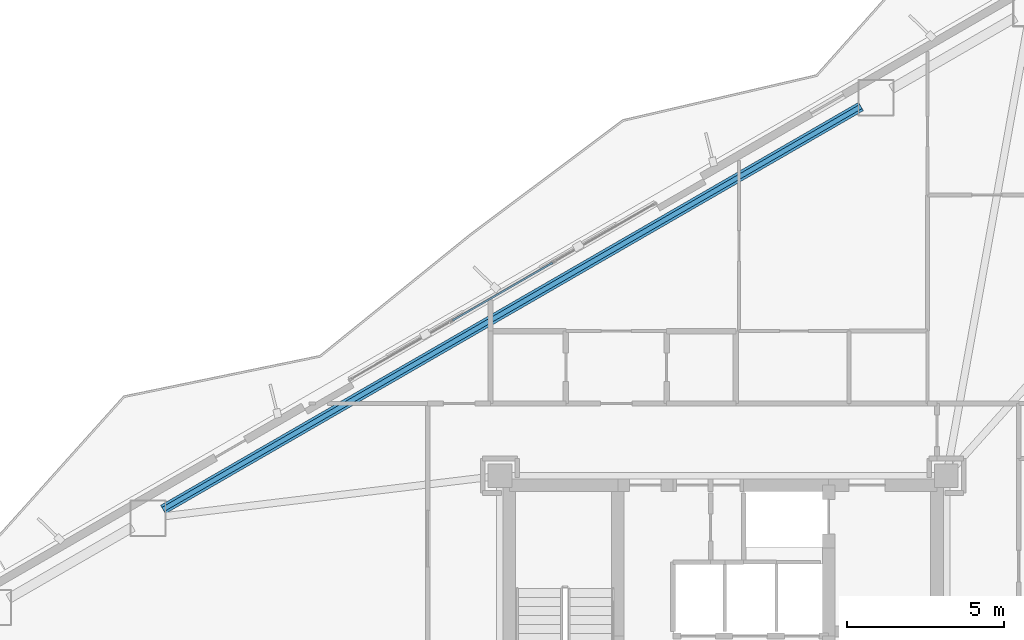
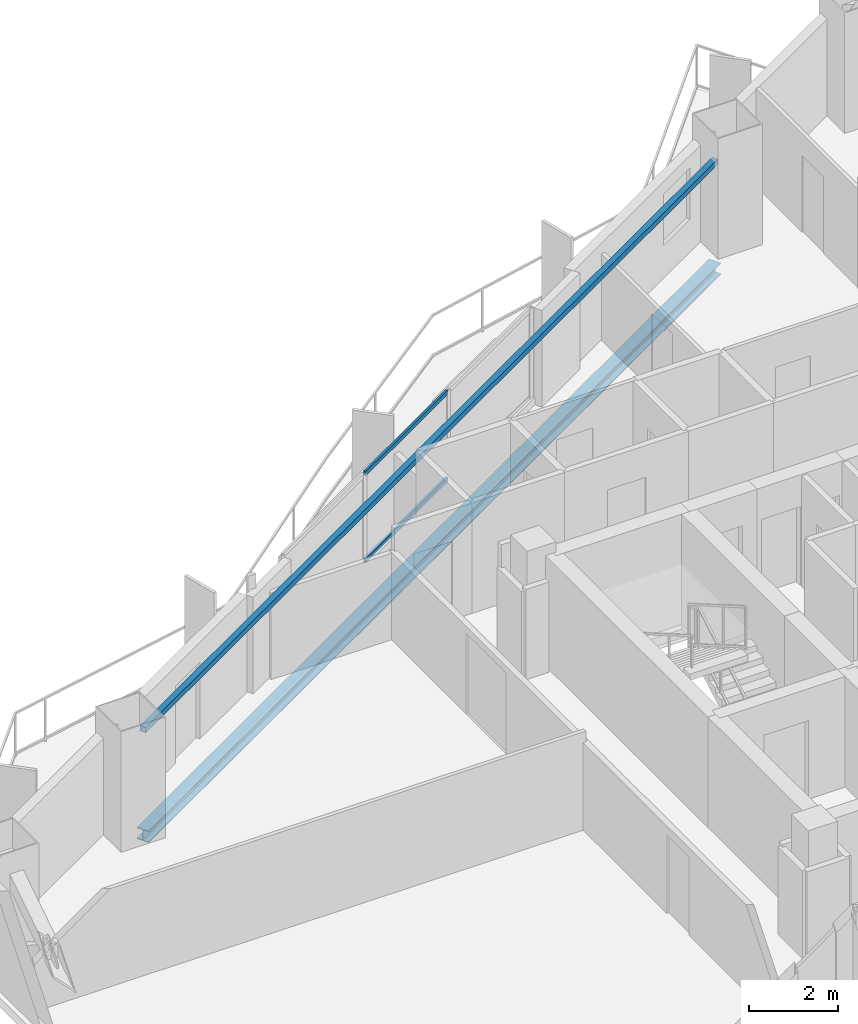
# One storey, part 12 of 22: 2 beams, 2 members, 1 element without a shape of its own.
"""IFC4 building model written with IfcOpenShell, lengths in metres."""

from ifc_helpers import new_model, si_unit, direction, frame, origin, origin_2d, place, context, subcontext, project, spatial, hollow_rectangle, i_section, extrude, material, layer, layer_set, material_profile, profile_set, type_object, element, aggregate, save


model = new_model("IFC4")

# Units and contexts
model_context = context("Model", 3, precision=1e-05, world=origin(), true_north=direction((0.0, 1.0)))
body_context = subcontext(model_context, "Body", "Model", "MODEL_VIEW")
ifc_project = project(units=[si_unit("LENGTHUNIT", "METRE"), si_unit("AREAUNIT", "SQUARE_METRE"), si_unit("VOLUMEUNIT", "CUBIC_METRE"), si_unit("PLANEANGLEUNIT", "RADIAN"), si_unit("MASSUNIT", "GRAM", prefix="KILO")], contexts=[model_context])

# Site, building, storey
site_placement = place(None, origin())
site = spatial("IfcSite", under=ifc_project, at=site_placement, CompositionType="ELEMENT")
building_placement = place(site_placement, origin())
building = spatial("IfcBuilding", under=site, at=building_placement, Name="Mersakhor Tower and Convention Hall", CompositionType="ELEMENT")
storey_placement = place(building_placement, frame((0.0, 0.0, 113.10009765625)))
storey = spatial("IfcBuildingStorey", under=building, at=storey_placement, Name="L31", CompositionType="ELEMENT", Elevation=113.10009765625)

# Beams
ifc_material_1 = material(Name="Steel S355", Category="steel")
ifc_material_profile_1 = material_profile(ifc_material_1, hollow_rectangle(XDim=0.14990234375, YDim=0.14990234375, WallThickness=0.010009765625, at=origin_2d()), Name="SHS 150x150x10")
ifc_profile_set_1 = profile_set([ifc_material_profile_1], Name="Steel S355")
beam_type_1 = type_object("IfcBeamType", Name="BM-GRT-SHS150", PredefinedType="USERDEFINED", material=ifc_profile_set_1)
beam_1_placement = place(storey_placement, frame((11.18310546875, 31.976318359375, 2.47998046875), z_axis=(0.866022538643, 0.500004962538, 0.0), x_axis=(-0.500004962538, 0.866022538643, 0.0)))
element("IfcBeam", 1, at=beam_1_placement, inside=storey, type_object=beam_type_1, Name="L31 Facade Support Girt GRT-F1", ObjectType="GIRT", PredefinedType="USERDEFINED", context=body_context, shape_type="SweptSolid", body=[
    extrude(hollow_rectangle(XDim=0.14990234375, YDim=0.14990234375, WallThickness=0.010009765625, at=origin_2d()), origin(), (0.0, 0.0, 1.0), 25.633544921875),
])
ifc_material_2 = material(Name="Steel S355", Category="steel")
ifc_material_profile_2 = material_profile(ifc_material_2, i_section(OverallWidth=0.30908203125, OverallDepth=0.320556640625, WebThickness=0.013916015625, FlangeThickness=0.021728515625, at=origin_2d()), Name="UC 305x305x137")
ifc_profile_set_2 = profile_set([ifc_material_profile_2], Name="Steel S355")
beam_type_2 = type_object("IfcBeamType", Name="BM-SPD-UC305", PredefinedType="SPANDREL", material=ifc_profile_set_2)
beam_2_placement = place(storey_placement, frame((11.18310546875, 31.976318359375, -0.410400390625), z_axis=(0.866022538643, 0.500004962538, 0.0), x_axis=(-0.500004962538, 0.866022538643, 0.0)))
element("IfcBeam", 2, at=beam_2_placement, inside=storey, type_object=beam_type_2, Name="L31 Perimeter Spandrel Beam SPB-02", PredefinedType="SPANDREL", context=body_context, shape_type="SweptSolid", body=[
    extrude(i_section(OverallWidth=0.30908203125, OverallDepth=0.320556640625, WebThickness=0.013916015625, FlangeThickness=0.021728515625, at=origin_2d()), origin(), (0.0, 0.0, 1.0), 25.633544921875),
])

# Curtain wall, members
ifc_material_3 = material(Name="Dark solar low-E aluminium curtain wall", Category="aluminium")
ifc_layer = layer(ifc_material_3, 0.159912109375)
ifc_layer_set = layer_set([ifc_layer], Name="Dark solar low-E aluminium curtain wall")
curtain_wall_type = type_object("IfcCurtainWallType", Name="CW-SYS-01", PredefinedType="USERDEFINED", material=ifc_layer_set)
curtain_wall_placement = place(storey_placement, origin())
curtain_wall = element("IfcCurtainWall", 3, at=curtain_wall_placement, inside=storey, type_object=curtain_wall_type, Name="L31 Dark-Glass Curtain Wall F1-B2", ObjectType="CURTAIN WALL", PredefinedType="USERDEFINED")
ifc_material_4 = material(Name="Anodised aluminium EN AW-6063 T6", Category="aluminium")
ifc_material_profile_3 = material_profile(ifc_material_4, hollow_rectangle(XDim=0.06005859375, YDim=0.1201171875, WallThickness=0.0048828125, at=origin_2d()), Name="RHS 120x60x5")
ifc_profile_set_3 = profile_set([ifc_material_profile_3], Name="Anodised aluminium EN AW-6063 T6")
member_type = type_object("IfcMemberType", Name="CWT-120x60", PredefinedType="USERDEFINED", material=ifc_profile_set_3)
member_1_placement = place(storey_placement, frame((20.394287109375, 37.9873046875, 0.22998046875), z_axis=(0.866039286129, 0.499975954304, 0.0), x_axis=(-0.499975954304, 0.866039286129, 0.0)))
member_1 = element("IfcMember", 4, at=member_1_placement, type_object=member_type, Name="CW-01 transom 2.1", ObjectType="TRANSOM", PredefinedType="USERDEFINED", context=body_context, shape_type="SweptSolid", body=[
    extrude(hollow_rectangle(XDim=0.06005859375, YDim=0.1201171875, WallThickness=0.0048828125, at=origin_2d()), origin(), (0.0, 0.0, 1.0), 3.668212890625),
])
member_2_placement = place(storey_placement, frame((20.394287109375, 37.9873046875, 2.60986328125), z_axis=(0.866039286129, 0.499975954304, 0.0), x_axis=(-0.499975954304, 0.866039286129, 0.0)))
member_2 = element("IfcMember", 5, at=member_2_placement, type_object=member_type, Name="CW-01 transom 2.2", ObjectType="TRANSOM", PredefinedType="USERDEFINED", context=body_context, shape_type="SweptSolid", body=[
    extrude(hollow_rectangle(XDim=0.06005859375, YDim=0.1201171875, WallThickness=0.0048828125, at=origin_2d()), origin(), (0.0, 0.0, 1.0), 3.668212890625),
])
aggregate(curtain_wall, [member_1, member_2])

save(model, "model.ifc")
